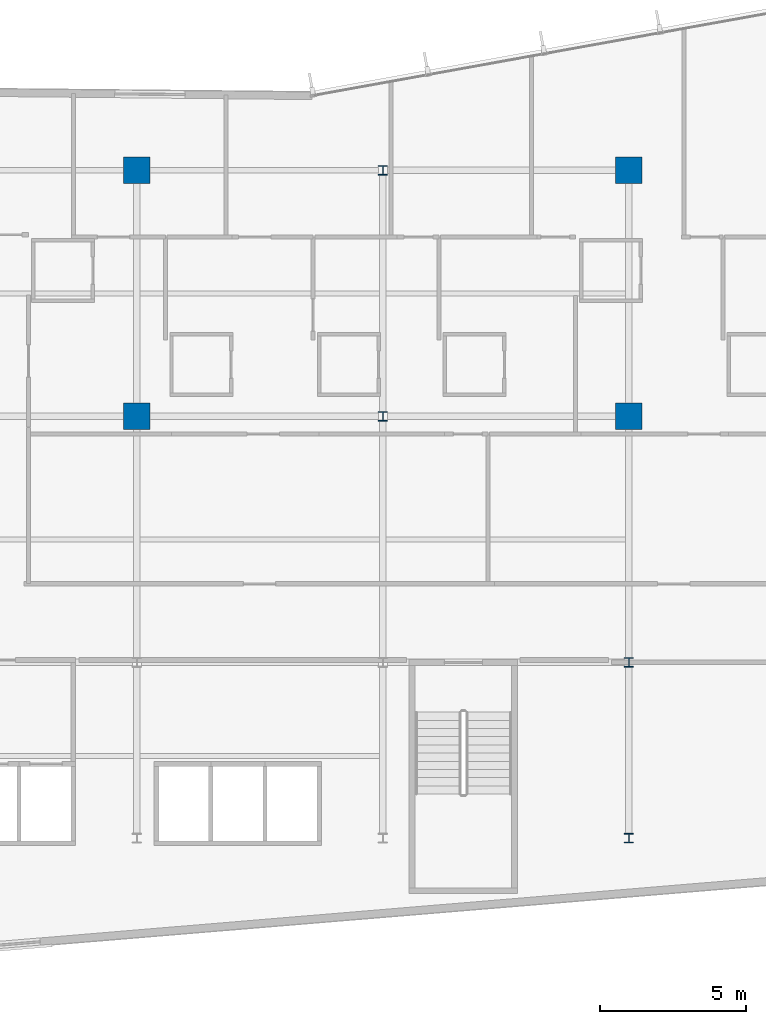
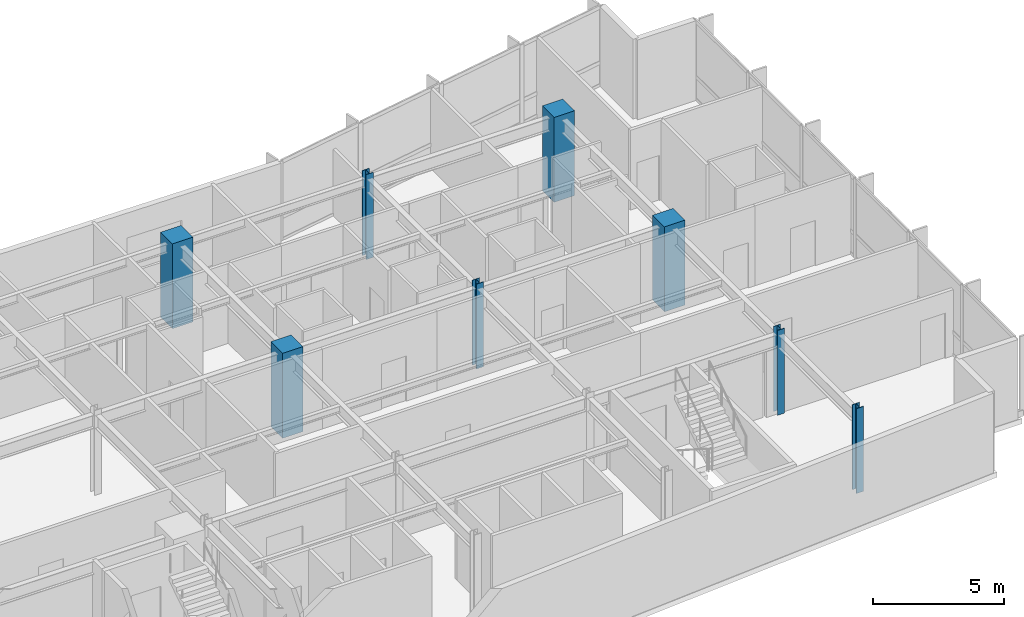
# One storey, part 2 of 22: 8 columns.
"""IFC4 building model written with IfcOpenShell, lengths in metres."""

from ifc_helpers import new_model, si_unit, direction, frame, origin, origin_2d, place, context, subcontext, project, spatial, rectangle, i_section, extrude, material, material_profile, profile_set, type_object, element, save


model = new_model("IFC4")

# Units and contexts
model_context = context("Model", 3, precision=1e-05, world=origin(), true_north=direction((0.0, 1.0)))
body_context = subcontext(model_context, "Body", "Model", "MODEL_VIEW")
ifc_project = project(units=[si_unit("LENGTHUNIT", "METRE"), si_unit("AREAUNIT", "SQUARE_METRE"), si_unit("VOLUMEUNIT", "CUBIC_METRE"), si_unit("PLANEANGLEUNIT", "RADIAN"), si_unit("MASSUNIT", "GRAM", prefix="KILO")], contexts=[model_context])

# Site, building, storey
site_placement = place(None, origin())
site = spatial("IfcSite", under=ifc_project, at=site_placement, CompositionType="ELEMENT")
building_placement = place(site_placement, origin())
building = spatial("IfcBuilding", under=site, at=building_placement, Name="Varnakote Quay Hospital", CompositionType="ELEMENT")
storey_placement = place(building_placement, frame((0.0, 0.0, 65.949951171875)))
storey = spatial("IfcBuildingStorey", under=building, at=storey_placement, Name="L16", CompositionType="ELEMENT", Elevation=65.949951171875)

# Columns
ifc_material_1 = material(Name="Concrete N50 (f'c 50 MPa)", Category="concrete")
ifc_material_profile_1 = material_profile(ifc_material_1, rectangle(XDim=0.89990234375, YDim=0.89990234375, at=origin_2d()), Name="RC-COL-900x900")
ifc_profile_set_1 = profile_set([ifc_material_profile_1], Name="Concrete N50 (f'c 50 MPa)")
column_type_1 = type_object("IfcColumnType", Name="COL-RC-900", PredefinedType="COLUMN", material=ifc_profile_set_1)
for number, where, z_axis, x_axis, name in (
    (1, (33.60009765625, 20.39990234375, 0.0), (0.0, 0.0, 1.0), (1.0, 0.0, 0.0), "L16 Structural Column C-34-20"),
    (2, (50.39990234375, 20.39990234375, 0.0), (0.0, 0.0, 1.0), (1.0, 0.0, 0.0), "L16 Structural Column C-50-20"),
    (3, (33.60009765625, 28.800048828125, 0.0), (0.0, 0.0, 1.0), (1.0, 0.0, 0.0), "L16 Structural Column C-34-29"),
    (4, (50.39990234375, 28.800048828125, 0.0), (0.0, 0.0, 1.0), (1.0, 0.0, 0.0), "L16 Structural Column C-50-29"),
):
    element("IfcColumn", number, at=place(storey_placement, frame(where, z_axis=z_axis, x_axis=x_axis)), inside=storey, type_object=column_type_1, Name=name, PredefinedType="COLUMN", context=body_context, shape_type="SweptSolid", body=[
        extrude(rectangle(XDim=0.89990234375, YDim=0.89990234375, at=origin_2d()), origin(), (0.0, 0.0, 1.0), 3.949951171875),
    ])
ifc_material_2 = material(Name="Structural steel AS/NZS 3679.1 Grade 350 L0 (fy 340 MPa)", Category="steel")
ifc_material_profile_2 = material_profile(ifc_material_2, i_section(OverallWidth=0.31103515625, OverallDepth=0.326904296875, WebThickness=0.015625, FlangeThickness=0.02490234375, FilletRadius=0.0166015625, at=origin_2d()), Name="310UC158")
ifc_profile_set_2 = profile_set([ifc_material_profile_2], Name="Structural steel AS/NZS 3679.1 Grade 350 L0 (fy 340 MPa)")
column_type_2 = type_object("IfcColumnType", Name="COL-STL-310UC158", PredefinedType="COLUMN", material=ifc_profile_set_2)
for number, where, z_axis, x_axis, name in (
    (5, (50.39990234375, 6.0, 0.0), (0.0, 0.0, 1.0), (1.0, 0.0, 0.0), "L16 Structural Column C-50-6"),
    (6, (50.39990234375, 12.0, 0.0), (0.0, 0.0, 1.0), (1.0, 0.0, 0.0), "L16 Structural Column C-50-12"),
    (7, (42.0, 20.39990234375, 0.0), (0.0, 0.0, 1.0), (1.0, 0.0, 0.0), "L16 Structural Column C-42-20"),
    (8, (42.0, 28.800048828125, 0.0), (0.0, 0.0, 1.0), (1.0, 0.0, 0.0), "L16 Structural Column C-42-29"),
):
    element("IfcColumn", number, at=place(storey_placement, frame(where, z_axis=z_axis, x_axis=x_axis)), inside=storey, type_object=column_type_2, Name=name, PredefinedType="COLUMN", context=body_context, shape_type="SweptSolid", body=[
        extrude(i_section(OverallWidth=0.31103515625, OverallDepth=0.326904296875, WebThickness=0.015625, FlangeThickness=0.02490234375, FilletRadius=0.0166015625, at=origin_2d()), origin(), (0.0, 0.0, 1.0), 3.949951171875),
    ])

save(model, "model.ifc")
